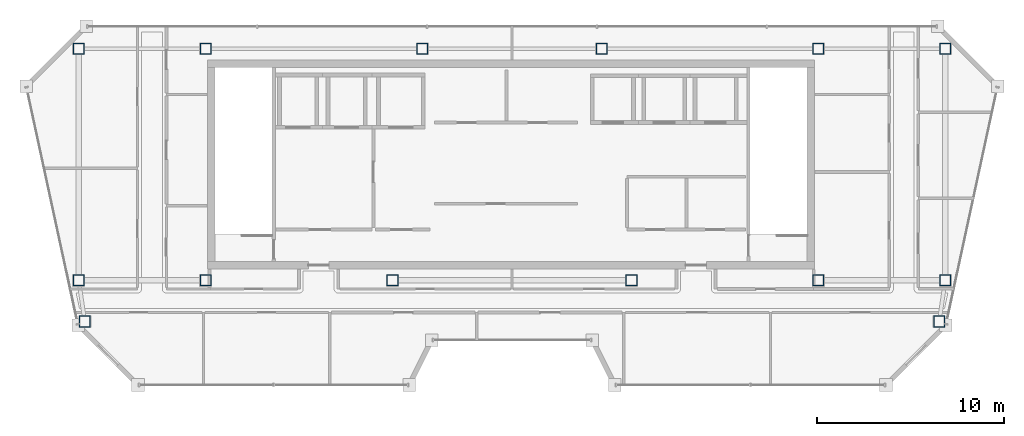
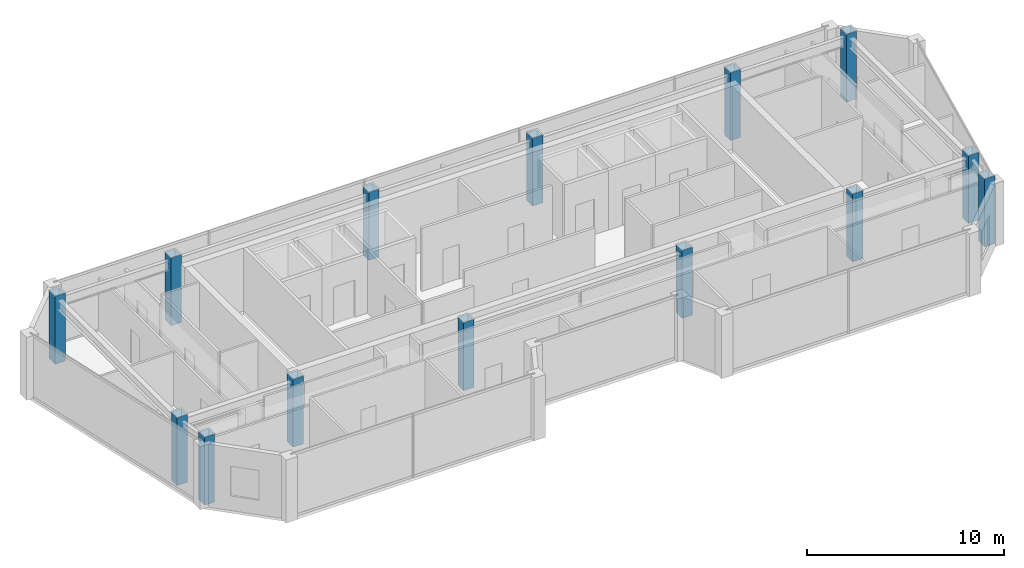
# One storey, part 1 of 17: 14 columns.
"""IFC4 building model written with IfcOpenShell, lengths in metres."""

import ifcopenshell
import ifcopenshell.guid

model = None  # the IFC model being written
_history = None  # IfcOwnerHistory: only IFC2X3 demands one
_inside = {}  # id of a spatial element -> (the spatial element, [elements in it])
_under = {}  # id of a project, library or spatial element -> (it, [spatial elements below it])
_declared = {}  # id of a project -> (the project, [libraries it declares])
_typed = {}  # id of a type object -> (the type object, [elements of that type])
_made_of = {}  # id of a material, layer set ... -> (it, [elements and type objects made of it])


def new_model(schema):
    """Start an empty IFC model of exactly this schema.

    Asked for "IFC4X3", IfcOpenShell would pick the latest addendum, in which some entities
    have other attributes; the version numbers below select the first issue.
    IFC2X3 requires an IfcOwnerHistory on every rooted entity: one is made here for all.
    """
    global model, _history
    if schema == "IFC4X3":
        model = ifcopenshell.file(schema_version=(4, 3, 0, 0))
    else:
        model = ifcopenshell.file(schema=schema)
    _inside.clear()
    _under.clear()
    _declared.clear()
    _typed.clear()
    _made_of.clear()
    _history = None
    if model.schema == "IFC2X3":
        org = make("IfcOrganization", Name="unknown")
        user = make(
            "IfcPersonAndOrganization",
            ThePerson=make("IfcPerson", FamilyName="unknown"),
            TheOrganization=org,
        )
        app = make(
            "IfcApplication",
            ApplicationDeveloper=org,
            Version="unknown",
            ApplicationFullName="unknown",
            ApplicationIdentifier="unknown",
        )
        _history = make(
            "IfcOwnerHistory",
            OwningUser=user,
            OwningApplication=app,
            ChangeAction="ADDED",
            CreationDate=0,
        )
    return model


def make(cls, **values):
    """One entity of the class cls with the attributes given. An attribute that is None is left unset."""
    return model.create_entity(
        cls, **{name: value for name, value in values.items() if value is not None}
    )


def rooted(cls, **values):
    """An entity with a GlobalId (a new one), such as an element, a storey or a relation."""
    return make(cls, GlobalId=ifcopenshell.guid.new(), OwnerHistory=_history, **values)


def si_unit(unit_type, name, prefix=None):
    """IfcSIUnit, for example si_unit("LENGTHUNIT", "METRE", prefix="MILLI")."""
    return make("IfcSIUnit", UnitType=unit_type, Prefix=prefix, Name=name)


def assignment(units):
    """IfcUnitAssignment: the units of a project."""
    return None if units is None else make("IfcUnitAssignment", Units=units)


def point(xyz):
    """IfcCartesianPoint."""
    return None if xyz is None else make("IfcCartesianPoint", Coordinates=xyz)


def direction(xyz):
    """IfcDirection."""
    return None if xyz is None else make("IfcDirection", DirectionRatios=xyz)


def frame(location, z_axis=None, x_axis=None):
    """IfcAxis2Placement3D, a coordinate frame: its origin and axes. An axis left out is left unset."""
    return make(
        "IfcAxis2Placement3D",
        Location=point(location),
        Axis=direction(z_axis),
        RefDirection=direction(x_axis),
    )


def frame_2d(location, x_axis=None):
    """IfcAxis2Placement2D, a coordinate frame in the plane: its origin and x axis."""
    return make(
        "IfcAxis2Placement2D", Location=point(location), RefDirection=direction(x_axis)
    )


def origin():
    """The frame at (0, 0, 0) with its axes left unset."""
    return frame((0.0, 0.0, 0.0))


def origin_2d():
    """The frame at (0, 0) in the plane with its x axis left unset."""
    return frame_2d((0.0, 0.0))


def place(relative_to, where):
    """IfcLocalPlacement: puts the frame where relative to a parent placement (None: the world)."""
    return make(
        "IfcLocalPlacement", PlacementRelTo=relative_to, RelativePlacement=where
    )


def context(
    kind, dimensions, precision=None, world=None, true_north=None, identifier=None
):
    """IfcGeometricRepresentationContext, for example the 3D "Model" context."""
    return make(
        "IfcGeometricRepresentationContext",
        ContextIdentifier=identifier,
        ContextType=kind,
        CoordinateSpaceDimension=dimensions,
        Precision=precision,
        WorldCoordinateSystem=world,
        TrueNorth=true_north,
    )


def subcontext(parent, identifier, kind, view, scale=None):
    """IfcGeometricRepresentationSubContext, for example "Body" below "Model"."""
    return make(
        "IfcGeometricRepresentationSubContext",
        ContextIdentifier=identifier,
        ContextType=kind,
        ParentContext=parent,
        TargetScale=scale,
        TargetView=view,
    )


def project(units=None, contexts=None):
    """IfcProject with its units and contexts."""
    return rooted(
        "IfcProject",
        Name="project",
        RepresentationContexts=contexts,
        UnitsInContext=assignment(units),
    )


def spatial(cls, under=None, at=None, **own):
    """A site, building, storey or space (cls), placed at a placement, below another one or the project."""
    s = rooted(cls, ObjectPlacement=at, **own)
    if under is not None:
        _under.setdefault(under.id(), (under, []))[1].append(s)
    return s


def profile(cls, at=None, kind="AREA", **sizes):
    """A parametric profile (cls). Its sizes go by their IFC names, for example OverallWidth=200.0."""
    return make(cls, ProfileType=kind, Position=at, **sizes)


def hollow_rectangle(**sizes):
    """IfcRectangleHollowProfileDef."""
    return profile("IfcRectangleHollowProfileDef", **sizes)


def extrude(swept, where, along, depth):
    """IfcExtrudedAreaSolid: the profile swept, set in the frame where, extruded along a direction by depth."""
    return make(
        "IfcExtrudedAreaSolid",
        SweptArea=swept,
        Position=where,
        ExtrudedDirection=direction(along),
        Depth=depth,
    )


def shape(context_of_items, identifier, shape_type, items):
    """IfcShapeRepresentation: the items that make up one representation, for example the "Body"."""
    return make(
        "IfcShapeRepresentation",
        ContextOfItems=context_of_items,
        RepresentationIdentifier=identifier,
        RepresentationType=shape_type,
        Items=items,
    )


def material(Name=None, Category=None):
    """IfcMaterial."""
    return make("IfcMaterial", Name=Name, Category=Category)


def material_profile(
    of_material, cross_section, Name=None, Category=None, Priority=None
):
    """IfcMaterialProfile: a cross section and its material."""
    return make(
        "IfcMaterialProfile",
        Name=Name,
        Material=of_material,
        Profile=cross_section,
        Priority=Priority,
        Category=Category,
    )


def profile_set(profiles, Name=None, composite=None):
    """IfcMaterialProfileSet."""
    return make(
        "IfcMaterialProfileSet",
        Name=Name,
        MaterialProfiles=profiles,
        CompositeProfile=composite,
    )


def made_of(thing, what):
    """Note that an element or type object is made of a material, layer set ...; save() writes the relation."""
    if what is not None:
        _made_of.setdefault(what.id(), (what, []))[1].append(thing)
    return thing


def type_object(cls, material=None, **own):
    """A type object (cls), such as IfcWallType, which elements share."""
    return made_of(rooted(cls, **own), material)


def element(
    cls,
    number,
    at=None,
    inside=None,
    cuts=None,
    type_object=None,
    material=None,
    context=None,
    identifier="Body",
    shape_type=None,
    held_by="IfcProductDefinitionShape",
    body=None,
    shapes=None,
    **own,
):
    """One element of the class cls, such as IfcWall. Its Tag is "e" and its number.

    at: its placement. inside: the storey or other place that contains it. cuts: it is an
    opening in that element (IfcRelVoidsElement). A single representation is given by context,
    identifier, shape_type and body (its items); several are given by shapes. held_by: the class
    of the entity that holds the representations. save() writes the other relations.
    """
    e = rooted(cls, Tag="e%d" % number, ObjectPlacement=at, **own)
    if body is not None:
        shapes = [shape(context, identifier, shape_type, body)]
    if shapes is not None:
        e.Representation = make(held_by, Representations=shapes)
    if inside is not None:
        _inside.setdefault(inside.id(), (inside, []))[1].append(e)
    if cuts is not None:
        rooted(
            "IfcRelVoidsElement", RelatingBuildingElement=cuts, RelatedOpeningElement=e
        )
    if type_object is not None:
        _typed.setdefault(type_object.id(), (type_object, []))[1].append(e)
    return made_of(e, material)


def aggregate(whole, parts):
    """IfcRelAggregates: a whole, such as a stair, and the parts it consists of."""
    return rooted("IfcRelAggregates", RelatingObject=whole, RelatedObjects=parts)


def save(model, path):
    """Write the relations noted so far, then the file.

    IfcRelAggregates (storeys below a building ...), IfcRelContainedInSpatialStructure (elements
    in a storey), IfcRelDefinesByType, IfcRelAssociatesMaterial and IfcRelDeclares: one each for
    every whole, place, type object, material and project.
    """
    for whole, parts in _under.values():
        aggregate(whole, parts)
    for where, things in _inside.values():
        rooted(
            "IfcRelContainedInSpatialStructure",
            RelatedElements=things,
            RelatingStructure=where,
        )
    for kind, things in _typed.values():
        rooted("IfcRelDefinesByType", RelatedObjects=things, RelatingType=kind)
    for what, things in _made_of.values():
        rooted("IfcRelAssociatesMaterial", RelatedObjects=things, RelatingMaterial=what)
    for by, libraries in _declared.values():
        rooted("IfcRelDeclares", RelatingContext=by, RelatedDefinitions=libraries)
    model.write(path)


model = new_model("IFC4")

# Units and contexts
model_context = context("Model", 3, precision=1e-05, world=origin(), true_north=direction((0.0, 1.0)))
body_context = subcontext(model_context, "Body", "Model", "MODEL_VIEW")
ifc_project = project(units=[si_unit("LENGTHUNIT", "METRE"), si_unit("AREAUNIT", "SQUARE_METRE"), si_unit("VOLUMEUNIT", "CUBIC_METRE"), si_unit("PLANEANGLEUNIT", "RADIAN"), si_unit("MASSUNIT", "GRAM", prefix="KILO")], contexts=[model_context])

# Site, building, storey
site_placement = place(None, origin())
site = spatial("IfcSite", under=ifc_project, at=site_placement, CompositionType="ELEMENT")
building_placement = place(site_placement, origin())
building = spatial("IfcBuilding", under=site, at=building_placement, Name="Saevonmaru Cultural Tower", CompositionType="ELEMENT")
storey_placement = place(building_placement, frame((0.0, 0.0, 323.39990234375)))
storey = spatial("IfcBuildingStorey", under=building, at=storey_placement, Name="L77", CompositionType="ELEMENT", Elevation=323.39990234375)

# Columns
ifc_material = material(Name="Steel SM355", Category="steel")
ifc_material_profile = material_profile(ifc_material, hollow_rectangle(XDim=0.60009765625, YDim=0.60009765625, WallThickness=0.028076171875, at=origin_2d()), Name="BOX-600x600x28")
ifc_profile_set = profile_set([ifc_material_profile], Name="Steel SM355")
column_type = type_object("IfcColumnType", Name="COL-BOX-600", PredefinedType="COLUMN", material=ifc_profile_set)
for number, where, z_axis, x_axis, name in (
    (1, (6.800048828125, 54.800048828125, 0.0), (0.0, 0.0, 1.0), (1.0, 0.0, 0.0), "L77 Column TC-N1N"),
    (2, (13.60009765625, 54.800048828125, 0.0), (0.0, 0.0, 1.0), (1.0, 0.0, 0.0), "L77 Column TC-N2N"),
    (3, (25.199951171875, 54.800048828125, 0.0), (0.0, 0.0, 1.0), (1.0, 0.0, 0.0), "L77 Column TC-N3N"),
    (4, (34.800048828125, 54.800048828125, 0.0), (0.0, 0.0, 1.0), (1.0, 0.0, 0.0), "L77 Column TC-N4N"),
    (5, (46.39990234375, 54.800048828125, 0.0), (0.0, 0.0, 1.0), (1.0, 0.0, 0.0), "L77 Column TC-N5N"),
    (6, (53.199951171875, 54.800048828125, 0.0), (0.0, 0.0, 1.0), (1.0, 0.0, 0.0), "L77 Column TC-N6N"),
    (7, (6.800048828125, 42.39990234375, 0.0), (0.0, 0.0, 1.0), (1.0, 0.0, 0.0), "L77 Column TC-S1C"),
    (8, (13.60009765625, 42.39990234375, 0.0), (0.0, 0.0, 1.0), (1.0, 0.0, 0.0), "L77 Column TC-S2C"),
    (9, (23.60009765625, 42.39990234375, 0.0), (0.0, 0.0, 1.0), (1.0, 0.0, 0.0), "L77 Column TC-S3C"),
    (10, (36.39990234375, 42.39990234375, 0.0), (0.0, 0.0, 1.0), (1.0, 0.0, 0.0), "L77 Column TC-S4C"),
    (11, (46.39990234375, 42.39990234375, 0.0), (0.0, 0.0, 1.0), (1.0, 0.0, 0.0), "L77 Column TC-S5C"),
    (12, (53.199951171875, 42.39990234375, 0.0), (0.0, 0.0, 1.0), (1.0, 0.0, 0.0), "L77 Column TC-S6C"),
    (13, (7.132080078125, 40.199951171875, 0.0), (0.0, 0.0, 1.0), (1.0, 0.0, 0.0), "L77 Column TC-WO-Y402"),
    (14, (52.867919921875, 40.199951171875, 0.0), (0.0, 0.0, 1.0), (1.0, 0.0, 0.0), "L77 Column TC-EO-Y402"),
):
    element("IfcColumn", number, at=place(storey_placement, frame(where, z_axis=z_axis, x_axis=x_axis)), inside=storey, type_object=column_type, Name=name, PredefinedType="COLUMN", context=body_context, shape_type="SweptSolid", body=[
        extrude(hollow_rectangle(XDim=0.60009765625, YDim=0.60009765625, WallThickness=0.028076171875, at=origin_2d()), origin(), (0.0, 0.0, 1.0), 4.2001953125),
    ])

save(model, "model.ifc")
